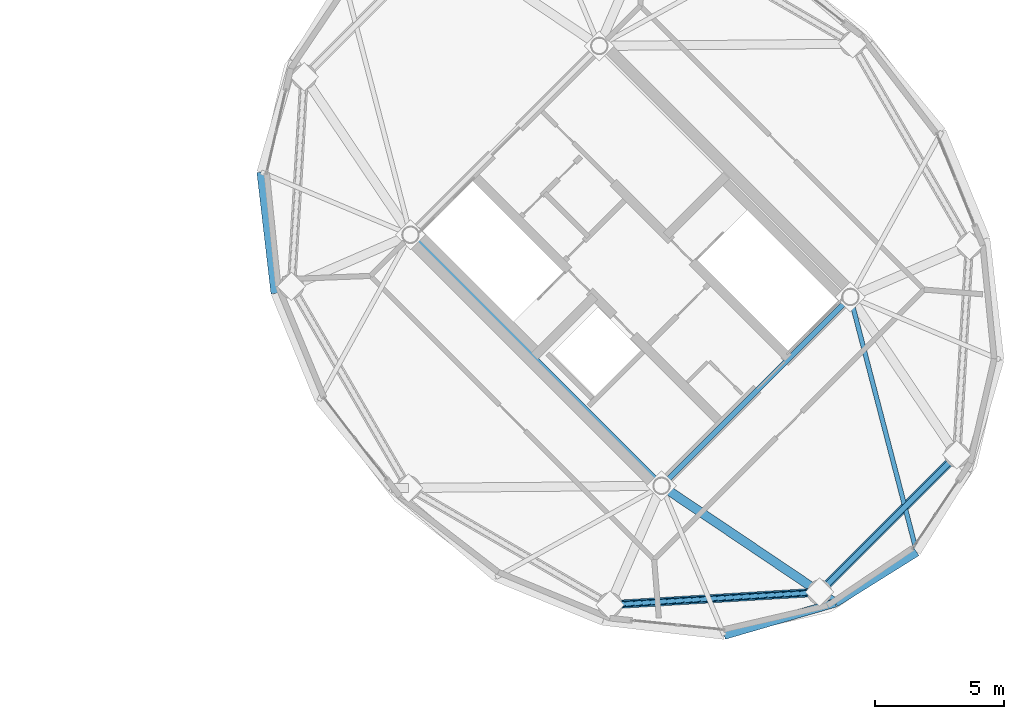
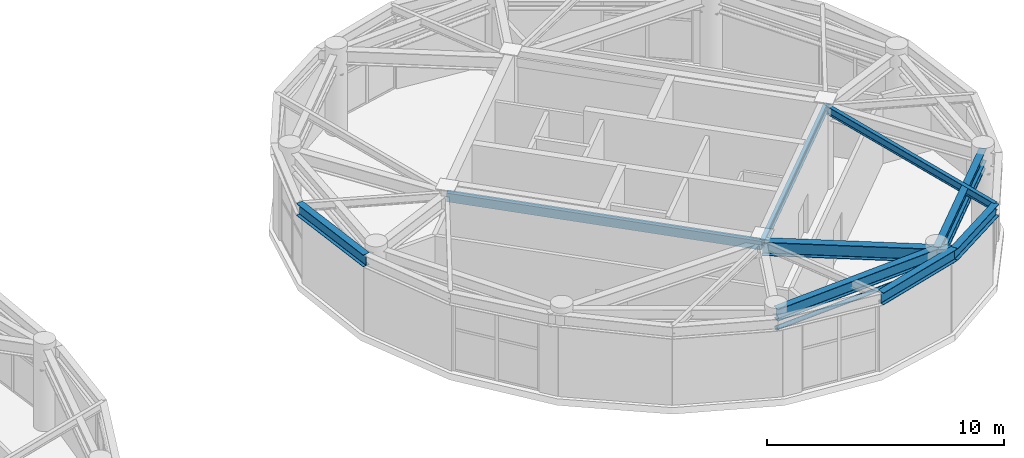
# One storey, part 14 of 26: 9 beams, 2 members.
"""IFC4 building model written with IfcOpenShell, lengths in metres."""

from ifc_helpers import new_model, si_unit, direction, frame, origin, origin_2d, place, context, subcontext, project, spatial, hollow_rectangle, hollow_circle, i_section, extrude, material, material_profile, profile_set, type_object, element, save


model = new_model("IFC4")

# Units and contexts
model_context = context("Model", 3, precision=1e-05, world=origin(), true_north=direction((0.0, 1.0)))
body_context = subcontext(model_context, "Body", "Model", "MODEL_VIEW")
ifc_project = project(units=[si_unit("LENGTHUNIT", "METRE"), si_unit("AREAUNIT", "SQUARE_METRE"), si_unit("VOLUMEUNIT", "CUBIC_METRE"), si_unit("PLANEANGLEUNIT", "RADIAN"), si_unit("MASSUNIT", "GRAM", prefix="KILO")], contexts=[model_context])

# Site, building, storey
site_placement = place(None, origin())
site = spatial("IfcSite", under=ifc_project, at=site_placement, CompositionType="ELEMENT")
building_placement = place(site_placement, origin())
building = spatial("IfcBuilding", under=site, at=building_placement, Name="Cununo Teusaquillo Station Towers", CompositionType="ELEMENT")
storey_placement = place(building_placement, frame((0.0, 0.0, 240.330078125)))
storey = spatial("IfcBuildingStorey", under=building, at=storey_placement, Name="L76", CompositionType="ELEMENT", Elevation=240.330078125)

# Beams
ifc_material_1 = material(Name="Steel EN 10025-2 S355J2", Category="steel")
ifc_material_profile_1 = material_profile(ifc_material_1, hollow_rectangle(XDim=0.25, YDim=0.449951171875, WallThickness=0.01611328125, at=origin_2d()), Name="RHS 450x250x16")
ifc_profile_set_1 = profile_set([ifc_material_profile_1], Name="Steel EN 10025-2 S355J2")
beam_type_1 = type_object("IfcBeamType", Name="BM-COUP-1", PredefinedType="USERDEFINED", material=ifc_profile_set_1)
beam_1_placement = place(storey_placement, frame((58.70556640625, 15.975830078125, 3.974853515625), z_axis=(-0.707106781187, 0.707106781187, 0.0), x_axis=(-0.707106781187, -0.707106781187, 0.0)))
element("IfcBeam", 1, at=beam_1_placement, inside=storey, type_object=beam_type_1, Name="L76 Tower B Core Beam 1", ObjectType="COUPLING BEAM", PredefinedType="USERDEFINED", context=body_context, shape_type="SweptSolid", body=[
    extrude(hollow_rectangle(XDim=0.25, YDim=0.449951171875, WallThickness=0.01611328125, at=origin_2d()), origin(), (0.0, 0.0, 1.0), 13.760009765625),
])
ifc_material_2 = material(Name="Steel ASTM A572 Grade 50", Category="steel")
ifc_material_profile_2 = material_profile(ifc_material_2, i_section(OverallWidth=0.180908203125, OverallDepth=0.4169921875, WebThickness=0.010986328125, FlangeThickness=0.018310546875, FilletRadius=0.012939453125, at=origin_2d()), Name="W16X57")
ifc_profile_set_2 = profile_set([ifc_material_profile_2], Name="Steel ASTM A572 Grade 50")
beam_type_2 = type_object("IfcBeamType", Name="BM-JOIST-1", PredefinedType="JOIST", material=ifc_profile_set_2)
beam_2_placement = place(storey_placement, frame((66.024169921875, 23.29443359375, 3.991455078125), z_axis=(0.251559992432, -0.967841707206, 0.0), x_axis=(0.967841707206, 0.251559992432, 0.0)))
element("IfcBeam", 2, at=beam_2_placement, inside=storey, type_object=beam_type_2, Name="L76 Tower B Radial Spandrel Joist V15", PredefinedType="JOIST", context=body_context, shape_type="SweptSolid", body=[
    extrude(i_section(OverallWidth=0.180908203125, OverallDepth=0.4169921875, WebThickness=0.010986328125, FlangeThickness=0.018310546875, FilletRadius=0.012939453125, at=origin_2d()), origin(), (0.0, 0.0, 1.0), 10.217529296875),
])
ifc_material_3 = material(Name="Steel ASTM A572 Grade 50", Category="steel")
ifc_material_profile_3 = material_profile(ifc_material_3, i_section(OverallWidth=0.2041015625, OverallDepth=0.35009765625, WebThickness=0.008544921875, FlangeThickness=0.01513671875, FilletRadius=0.011962890625, at=origin_2d()), Name="W14X48")
ifc_profile_set_3 = profile_set([ifc_material_profile_3], Name="Steel ASTM A572 Grade 50")
beam_type_3 = type_object("IfcBeamType", Name="BM-LINTEL-1", PredefinedType="LINTEL", material=ifc_profile_set_3)
beam_3_placement = place(storey_placement, frame((58.70556640625, 15.975830078125, 4.02490234375), z_axis=(0.707106781187, 0.707106781187, 0.0), x_axis=(-0.707106781187, 0.707106781187, 0.0)))
element("IfcBeam", 3, at=beam_3_placement, inside=storey, type_object=beam_type_3, Name="L76 Tower B Core Beam 3", PredefinedType="LINTEL", context=body_context, shape_type="SweptSolid", body=[
    extrude(i_section(OverallWidth=0.2041015625, OverallDepth=0.35009765625, WebThickness=0.008544921875, FlangeThickness=0.01513671875, FilletRadius=0.011962890625, at=origin_2d()), origin(), (0.0, 0.0, 1.0), 10.35009765625),
])
ifc_material_4 = material(Name="Steel ASTM A572 Grade 50", Category="steel")
ifc_material_profile_4 = material_profile(ifc_material_4, i_section(OverallWidth=0.35498046875, OverallDepth=0.696044921875, WebThickness=0.015380859375, FlangeThickness=0.02490234375, FilletRadius=0.01806640625, at=origin_2d()), Name="W27X146")
ifc_profile_set_4 = profile_set([ifc_material_profile_4], Name="Steel ASTM A572 Grade 50")
beam_type_4 = type_object("IfcBeamType", Name="BM-PLNT-G1", PredefinedType="BEAM", material=ifc_profile_set_4)
beam_4_placement = place(storey_placement, frame((58.70556640625, 15.975830078125, 3.851806640625), z_axis=(0.829456817529, -0.558570844079, 0.0), x_axis=(0.558570844079, 0.829456817529, 0.0)))
element("IfcBeam", 4, at=beam_4_placement, inside=storey, type_object=beam_type_4, Name="L76 Tower B Continuous Overhanging Radial Girder 08", PredefinedType="BEAM", context=body_context, shape_type="SweptSolid", body=[
    extrude(i_section(OverallWidth=0.35498046875, OverallDepth=0.696044921875, WebThickness=0.015380859375, FlangeThickness=0.02490234375, FilletRadius=0.01806640625, at=origin_2d()), origin(), (0.0, 0.0, 1.0), 8.1240234375),
])
ifc_material_5 = material(Name="Steel ASTM A572 Grade 50", Category="steel")
ifc_material_profile_5 = material_profile(ifc_material_5, i_section(OverallWidth=0.324951171875, OverallDepth=0.615966796875, WebThickness=0.013916015625, FlangeThickness=0.021484375, FilletRadius=0.01611328125, at=origin_2d()), Name="W24X117")
ifc_profile_set_5 = profile_set([ifc_material_profile_5], Name="Steel ASTM A572 Grade 50")
beam_type_5 = type_object("IfcBeamType", Name="BM-PLNT-G2", PredefinedType="BEAM", material=ifc_profile_set_5)
beam_5_placement = place(storey_placement, frame((56.708984375, 11.36474609375, 3.891845703125), z_axis=(0.998190567048, 0.06012979176, 0.0), x_axis=(-0.06012979176, 0.998190567048, 0.0)))
element("IfcBeam", 5, at=beam_5_placement, inside=storey, type_object=beam_type_5, Name="L76 Tower B Structural Column Ring Girder 07", PredefinedType="BEAM", context=body_context, shape_type="SweptSolid", body=[
    extrude(i_section(OverallWidth=0.324951171875, OverallDepth=0.615966796875, WebThickness=0.013916015625, FlangeThickness=0.021484375, FilletRadius=0.01611328125, at=origin_2d()), origin(), (0.0, 0.0, 1.0), 8.132568359375),
])
beam_6_placement = place(storey_placement, frame((64.826904296875, 11.853759765625, 3.891845703125), z_axis=(0.707106781187, 0.707106781187, 0.0), x_axis=(-0.707106781187, 0.707106781187, 0.0)))
element("IfcBeam", 6, at=beam_6_placement, inside=storey, type_object=beam_type_5, Name="L76 Tower B Structural Column Ring Girder 08", PredefinedType="BEAM", context=body_context, shape_type="SweptSolid", body=[
    extrude(i_section(OverallWidth=0.324951171875, OverallDepth=0.615966796875, WebThickness=0.013916015625, FlangeThickness=0.021484375, FilletRadius=0.01611328125, at=origin_2d()), origin(), (0.0, 0.0, 1.0), 7.522705078125),
])
beam_7_placement = place(storey_placement, frame((43.18359375, 28.135009765625, 3.891845703125), z_axis=(0.115452326356, -0.993313022334, 0.0), x_axis=(0.993313022334, 0.115452326356, 0.0)))
element("IfcBeam", 7, at=beam_7_placement, inside=storey, type_object=beam_type_5, Name="L76 Tower B Spandrel Ring Beam 08", PredefinedType="BEAM", context=body_context, shape_type="SweptSolid", body=[
    extrude(i_section(OverallWidth=0.324951171875, OverallDepth=0.615966796875, WebThickness=0.013916015625, FlangeThickness=0.021484375, FilletRadius=0.01611328125, at=origin_2d()), origin(), (0.0, 0.0, 1.0), 4.732666015625),
])
beam_8_placement = place(storey_placement, frame((61.135009765625, 10.18359375, 3.891845703125), z_axis=(0.96014487762, 0.279502797802, 0.0), x_axis=(-0.279502797802, 0.96014487762, 0.0)))
element("IfcBeam", 8, at=beam_8_placement, inside=storey, type_object=beam_type_5, Name="L76 Tower B Spandrel Ring Beam 14", PredefinedType="BEAM", context=body_context, shape_type="SweptSolid", body=[
    extrude(i_section(OverallWidth=0.324951171875, OverallDepth=0.615966796875, WebThickness=0.013916015625, FlangeThickness=0.021484375, FilletRadius=0.01611328125, at=origin_2d()), origin(), (0.0, 0.0, 1.0), 4.488037109375),
])
beam_9_placement = place(storey_placement, frame((65.444091796875, 11.43798828125, 3.891845703125), z_axis=(0.848175505099, 0.529715312739, 0.0), x_axis=(-0.529715312739, 0.848175505099, 0.0)))
element("IfcBeam", 9, at=beam_9_placement, inside=storey, type_object=beam_type_5, Name="L76 Tower B Spandrel Ring Beam 15", PredefinedType="BEAM", context=body_context, shape_type="SweptSolid", body=[
    extrude(i_section(OverallWidth=0.324951171875, OverallDepth=0.615966796875, WebThickness=0.013916015625, FlangeThickness=0.021484375, FilletRadius=0.01611328125, at=origin_2d()), origin(), (0.0, 0.0, 1.0), 3.71435546875),
])

# Members
ifc_material_6 = material(Name="Steel EN 10025-2 S355J2", Category="steel")
ifc_material_profile_6 = material_profile(ifc_material_6, hollow_circle(Radius=0.109619140625, WallThickness=0.010009765625, at=origin_2d()), Name="CHS 219x10")
ifc_profile_set_6 = profile_set([ifc_material_profile_6], Name="Steel EN 10025-2 S355J2")
member_type = type_object("IfcMemberType", Name="MBR-DRUM-COL", PredefinedType="COLLAR", material=ifc_profile_set_6)
member_1_placement = place(storey_placement, frame((56.708984375, 11.36474609375, 3.14990234375), z_axis=(0.998190567048, 0.06012979176, 0.0), x_axis=(-0.06012979176, 0.998190567048, 0.0)))
element("IfcMember", 10, at=member_1_placement, inside=storey, type_object=member_type, Name="L76 Tower B Crown Drum Collar 07", PredefinedType="COLLAR", context=body_context, shape_type="SweptSolid", body=[
    extrude(hollow_circle(Radius=0.109619140625, WallThickness=0.010009765625, at=origin_2d()), origin(), (0.0, 0.0, 1.0), 8.132568359375),
])
member_2_placement = place(storey_placement, frame((64.826904296875, 11.853759765625, 3.14990234375), z_axis=(0.707106781187, 0.707106781187, 0.0), x_axis=(-0.707106781187, 0.707106781187, 0.0)))
element("IfcMember", 11, at=member_2_placement, inside=storey, type_object=member_type, Name="L76 Tower B Crown Drum Collar 08", PredefinedType="COLLAR", context=body_context, shape_type="SweptSolid", body=[
    extrude(hollow_circle(Radius=0.109619140625, WallThickness=0.010009765625, at=origin_2d()), origin(), (0.0, 0.0, 1.0), 7.522705078125),
])

save(model, "model.ifc")
